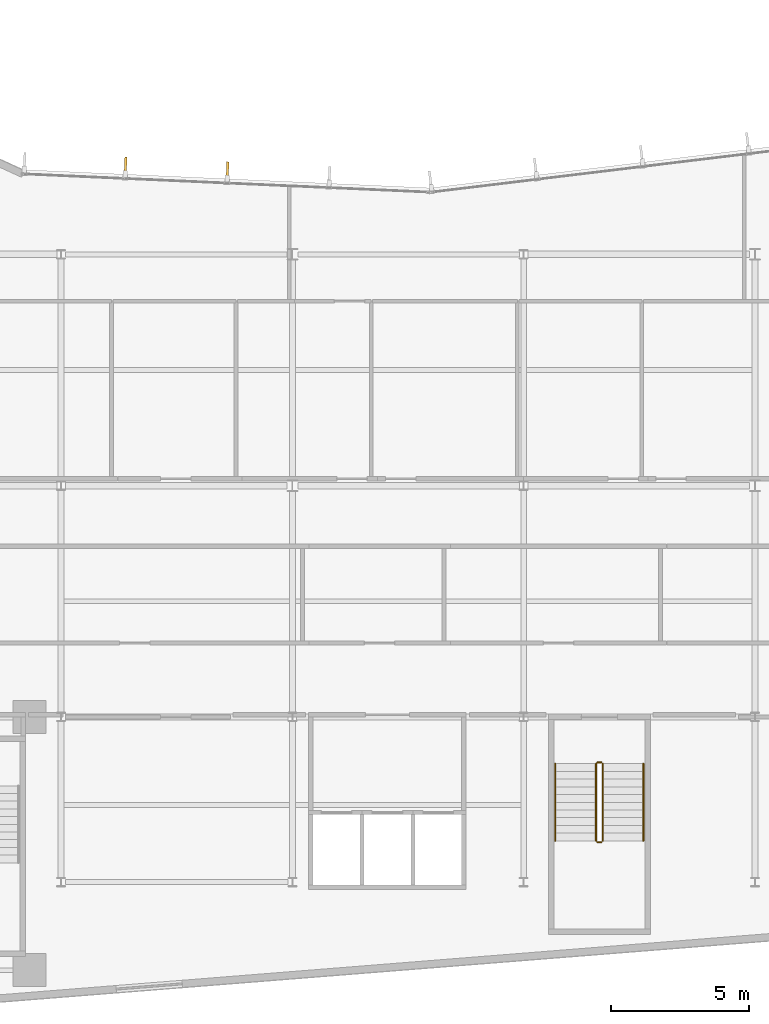
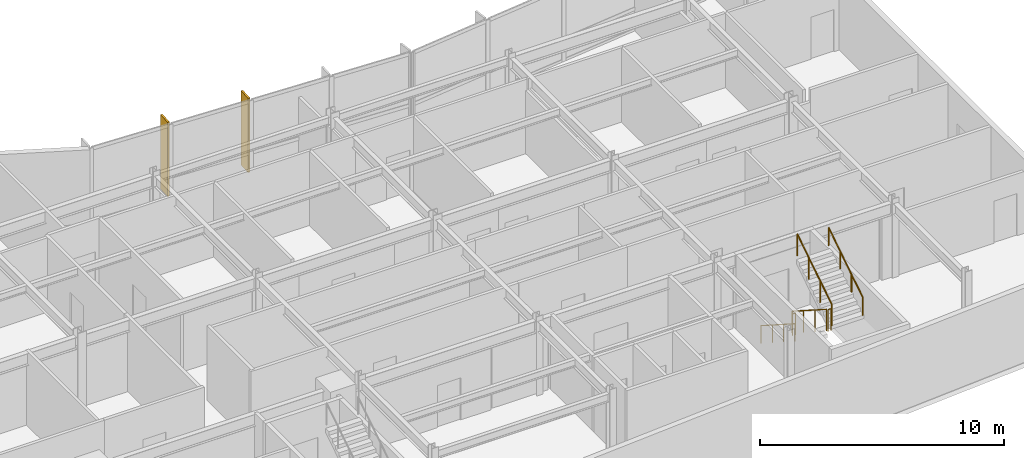
# One storey, part 14 of 17: 6 railings, 2 shading devices.
"""IFC4 building model written with IfcOpenShell, lengths in metres."""

from ifc_helpers import new_model, si_unit, direction, frame, origin, origin_2d, place, context, subcontext, project, spatial, rectangle, circle, extrude, material, layer, layer_set, type_object, element, save


model = new_model("IFC4")

# Units and contexts
model_context = context("Model", 3, precision=1e-05, world=origin(), true_north=direction((0.0, 1.0)))
body_context = subcontext(model_context, "Body", "Model", "MODEL_VIEW")
ifc_project = project(units=[si_unit("LENGTHUNIT", "METRE"), si_unit("AREAUNIT", "SQUARE_METRE"), si_unit("VOLUMEUNIT", "CUBIC_METRE"), si_unit("PLANEANGLEUNIT", "RADIAN"), si_unit("MASSUNIT", "GRAM", prefix="KILO")], contexts=[model_context])

# Site, building, storey
site_placement = place(None, origin())
site = spatial("IfcSite", under=ifc_project, at=site_placement, CompositionType="ELEMENT")
building_placement = place(site_placement, origin())
building = spatial("IfcBuilding", under=site, at=building_placement, Name="Varnakote Quay Hospital", CompositionType="ELEMENT")
storey_placement = place(building_placement, frame((0.0, 0.0, 131.0)))
storey = spatial("IfcBuildingStorey", under=building, at=storey_placement, Name="L32", CompositionType="ELEMENT", Elevation=131.0)

# Railings
ifc_material_1 = material(Name="Brushed stainless steel balustrade", Category="steel")
railing_type_1 = type_object("IfcRailingType", Name="RLG-STAIR-GUARD-1150", PredefinedType="GUARDRAIL", material=ifc_material_1)
railing_1_placement = place(storey_placement, frame((44.6298828125, 10.300048828125, 0.179443359375)))
element("IfcRailing", 1, at=railing_1_placement, inside=storey, type_object=railing_type_1, Name="L32 ST-03 stair guard 1", PredefinedType="GUARDRAIL", context=body_context, shape_type="SweptSolid", body=[
    extrude(circle(Radius=0.02392578125, at=origin_2d()), frame((0.0, 0.0, 1.076171875), z_axis=(0.0, -0.841776520102, 0.539826166654), x_axis=(1.0, 0.0, 0.0)), (0.0, 0.0, 1.0), 3.326416015625),
    extrude(circle(Radius=0.02099609375, at=origin_2d()), origin(), (0.0, 0.0, 1.0), 1.052001953125),
    extrude(circle(Radius=0.02099609375, at=origin_2d()), frame((0.0, -0.933349609375, 0.5986328125)), (0.0, 0.0, 1.0), 1.052001953125),
    extrude(circle(Radius=0.02099609375, at=origin_2d()), frame((0.0, -1.86669921875, 1.197021484375)), (0.0, 0.0, 1.0), 1.052001953125),
    extrude(circle(Radius=0.02099609375, at=origin_2d()), frame((0.0, -2.800048828125, 1.795654296875)), (0.0, 0.0, 1.0), 1.052001953125),
])
railing_2_placement = place(storey_placement, frame((44.679931640625, 7.449951171875, 1.97509765625)))
element("IfcRailing", 2, at=railing_2_placement, inside=storey, type_object=railing_type_1, Name="L32 ST-03 stair guard 2", PredefinedType="GUARDRAIL", context=body_context, shape_type="SweptSolid", body=[
    extrude(circle(Radius=0.02392578125, at=origin_2d()), frame((0.0, 0.0, 1.076171875), z_axis=(1.0, 0.0, 0.0), x_axis=(0.0, 1.0, 0.0)), (0.0, 0.0, 1.0), 0.14013671875),
    extrude(circle(Radius=0.02099609375, at=origin_2d()), origin(), (0.0, 0.0, 1.0), 1.052001953125),
    extrude(circle(Radius=0.02099609375, at=origin_2d()), frame((0.14013671875, 0.0, 0.0)), (0.0, 0.0, 1.0), 1.052001953125),
])
railing_3_placement = place(storey_placement, frame((44.8701171875, 7.5, 2.154541015625)))
element("IfcRailing", 3, at=railing_3_placement, inside=storey, type_object=railing_type_1, Name="L32 ST-03 stair guard 3", PredefinedType="GUARDRAIL", context=body_context, shape_type="SweptSolid", body=[
    extrude(circle(Radius=0.02392578125, at=origin_2d()), frame((0.0, 0.0, 1.076171875), z_axis=(0.0, 0.841809871826, 0.539774156196), x_axis=(-1.0, 0.0, 0.0)), (0.0, 0.0, 1.0), 3.326171875),
    extrude(circle(Radius=0.02099609375, at=origin_2d()), origin(), (0.0, 0.0, 1.0), 1.052001953125),
    extrude(circle(Radius=0.02099609375, at=origin_2d()), frame((0.0, 0.933349609375, 0.598388671875)), (0.0, 0.0, 1.0), 1.052001953125),
    extrude(circle(Radius=0.02099609375, at=origin_2d()), frame((0.0, 1.86669921875, 1.197021484375)), (0.0, 0.0, 1.0), 1.052001953125),
    extrude(circle(Radius=0.02099609375, at=origin_2d()), frame((0.0, 2.800048828125, 1.79541015625)), (0.0, 0.0, 1.0), 1.052001953125),
])
railing_4_placement = place(storey_placement, frame((44.679931640625, 10.35009765625, 0.0)))
element("IfcRailing", 4, at=railing_4_placement, inside=storey, type_object=railing_type_1, Name="L32 ST-03 stair guard 4", PredefinedType="GUARDRAIL", context=body_context, shape_type="SweptSolid", body=[
    extrude(circle(Radius=0.02392578125, at=origin_2d()), frame((0.0, 0.0, 1.076171875), z_axis=(1.0, 0.0, 0.0), x_axis=(0.0, 1.0, 0.0)), (0.0, 0.0, 1.0), 0.14013671875),
    extrude(circle(Radius=0.02099609375, at=origin_2d()), origin(), (0.0, 0.0, 1.0), 1.052001953125),
    extrude(circle(Radius=0.02099609375, at=origin_2d()), frame((0.14013671875, 0.0, 0.0)), (0.0, 0.0, 1.0), 1.052001953125),
])
ifc_material_2 = material(Name="Brushed stainless steel handrail", Category="steel")
railing_type_2 = type_object("IfcRailingType", Name="RLG-STAIR-HND-920", PredefinedType="HANDRAIL", material=ifc_material_2)
railing_5_placement = place(storey_placement, frame((43.14990234375, 10.300048828125, 0.179443359375)))
element("IfcRailing", 5, at=railing_5_placement, inside=storey, type_object=railing_type_2, Name="L32 ST-03 stair handrail 1", PredefinedType="HANDRAIL", context=body_context, shape_type="SweptSolid", body=[
    extrude(circle(Radius=0.02392578125, at=origin_2d()), frame((0.0, 0.0, 0.8759765625), z_axis=(0.0, -0.841776520102, 0.539826166654), x_axis=(1.0, 0.0, 0.0)), (0.0, 0.0, 1.0), 3.326416015625),
    extrude(circle(Radius=0.02099609375, at=origin_2d()), origin(), (0.0, 0.0, 1.0), 0.851806640625),
    extrude(circle(Radius=0.02099609375, at=origin_2d()), frame((0.0, -0.933349609375, 0.5986328125)), (0.0, 0.0, 1.0), 0.851806640625),
    extrude(circle(Radius=0.02099609375, at=origin_2d()), frame((0.0, -1.86669921875, 1.197021484375)), (0.0, 0.0, 1.0), 0.851806640625),
    extrude(circle(Radius=0.02099609375, at=origin_2d()), frame((0.0, -2.800048828125, 1.795654296875)), (0.0, 0.0, 1.0), 0.851806640625),
])
railing_6_placement = place(storey_placement, frame((46.35009765625, 7.5, 2.154541015625)))
element("IfcRailing", 6, at=railing_6_placement, inside=storey, type_object=railing_type_2, Name="L32 ST-03 stair handrail 2", PredefinedType="HANDRAIL", context=body_context, shape_type="SweptSolid", body=[
    extrude(circle(Radius=0.02392578125, at=origin_2d()), frame((0.0, 0.0, 0.8759765625), z_axis=(0.0, 0.841809871826, 0.539774156196), x_axis=(-1.0, 0.0, 0.0)), (0.0, 0.0, 1.0), 3.326171875),
    extrude(circle(Radius=0.02099609375, at=origin_2d()), origin(), (0.0, 0.0, 1.0), 0.851806640625),
    extrude(circle(Radius=0.02099609375, at=origin_2d()), frame((0.0, 0.933349609375, 0.598388671875)), (0.0, 0.0, 1.0), 0.851806640625),
    extrude(circle(Radius=0.02099609375, at=origin_2d()), frame((0.0, 1.86669921875, 1.197021484375)), (0.0, 0.0, 1.0), 0.851806640625),
    extrude(circle(Radius=0.02099609375, at=origin_2d()), frame((0.0, 2.800048828125, 1.79541015625)), (0.0, 0.0, 1.0), 0.851806640625),
])

# Shading devices
ifc_material_3 = material(Name="Anodised aluminium 6063-T6 Bronze", Category="aluminium")
ifc_layer = layer(ifc_material_3, 0.0849609375)
ifc_layer_set = layer_set([ifc_layer], Name="Anodised aluminium 6063-T6 Bronze")
shading_device_type = type_object("IfcShadingDeviceType", Name="SHD-BRONZE-FIN-620", PredefinedType="USERDEFINED", material=ifc_layer_set)
for number, where, z_axis, x_axis, name in (
    (7, (31.244873046875, 31.85302734375, 0.0), (0.0, 0.0, 1.0), (-0.044839922168, -0.998994184858, 0.0), "L32 Anodised Bronze Vertical Shading FIN"),
    (8, (27.541748046875, 32.01904296875, 0.0), (0.0, 0.0, 1.0), (-0.044839922168, -0.998994184858, 0.0), "L32 Anodised Bronze Vertical Shading FIN"),
):
    element("IfcShadingDevice", number, at=place(storey_placement, frame(where, z_axis=z_axis, x_axis=x_axis)), inside=storey, type_object=shading_device_type, Name=name, ObjectType="FIN", PredefinedType="USERDEFINED", context=body_context, shape_type="SweptSolid", body=[
        extrude(rectangle(XDim=0.6201171875, YDim=0.0849609375, at=origin_2d()), origin(), (0.0, 0.0, 1.0), 3.7099609375),
    ])

save(model, "model.ifc")
